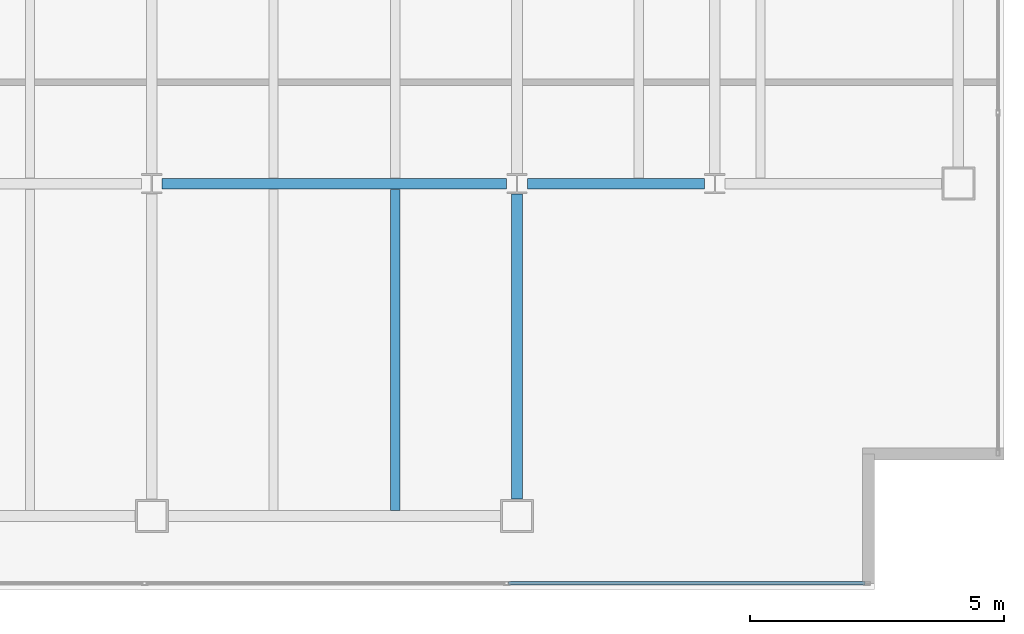
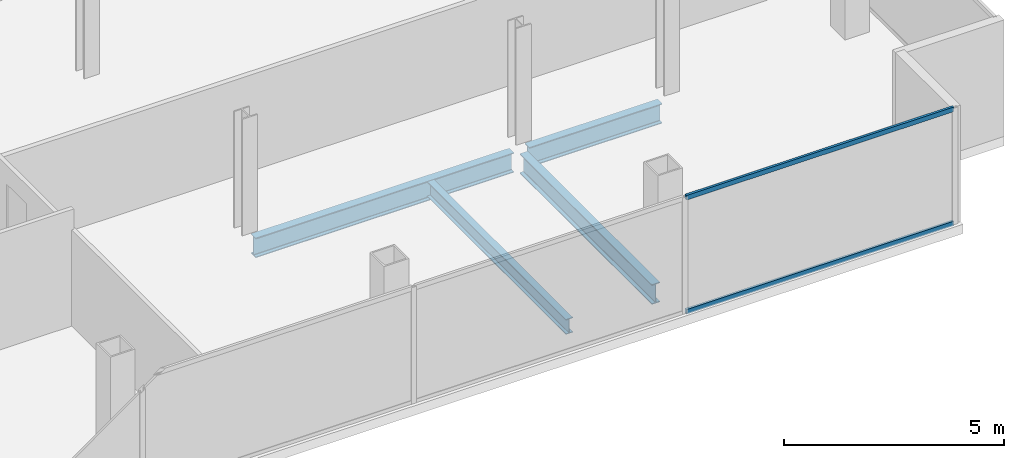
# One storey, part 13 of 23: 4 beams, 2 members, 1 element without a shape of its own.
"""IFC4 building model written with IfcOpenShell, lengths in metres."""

from ifc_helpers import new_model, si_unit, direction, frame, origin, origin_2d, place, context, subcontext, project, spatial, hollow_rectangle, i_section, extrude, material, material_profile, profile_set, type_object, element, aggregate, save


model = new_model("IFC4")

# Units and contexts
model_context = context("Model", 3, precision=1e-05, world=origin(), true_north=direction((0.0, 1.0)))
body_context = subcontext(model_context, "Body", "Model", "MODEL_VIEW")
ifc_project = project(units=[si_unit("LENGTHUNIT", "METRE"), si_unit("AREAUNIT", "SQUARE_METRE"), si_unit("VOLUMEUNIT", "CUBIC_METRE"), si_unit("PLANEANGLEUNIT", "RADIAN"), si_unit("MASSUNIT", "GRAM", prefix="KILO")], contexts=[model_context])

# Site, building, storey
site_placement = place(None, origin())
site = spatial("IfcSite", under=ifc_project, at=site_placement, CompositionType="ELEMENT")
building_placement = place(site_placement, origin())
building = spatial("IfcBuilding", under=site, at=building_placement, Name="Cobrela Telecom Tower", CompositionType="ELEMENT")
storey_placement = place(building_placement, frame((0.0, 0.0, 258.64990234375)))
storey = spatial("IfcBuildingStorey", under=building, at=storey_placement, Name="L67", CompositionType="ELEMENT", Elevation=258.64990234375)

# Beams
ifc_material_1 = material(Name="Steel ASTM A992 Grade 50", Category="steel")
ifc_material_profile_1 = material_profile(ifc_material_1, i_section(OverallWidth=0.212890625, OverallDepth=0.549072265625, WebThickness=0.0146484375, FlangeThickness=0.023681640625, FilletRadius=0.013916015625, at=origin_2d()), Name="W21X93")
ifc_profile_set_1 = profile_set([ifc_material_profile_1], Name="Steel ASTM A992 Grade 50")
beam_type_1 = type_object("IfcBeamType", Name="BM-GIRD-08", PredefinedType="USERDEFINED", material=ifc_profile_set_1)
beam_1_placement = place(storey_placement, frame((29.00439453125, 14.39990234375, -0.534423828125), z_axis=(1.0, 0.0, 0.0), x_axis=(0.0, 1.0, 0.0)))
element("IfcBeam", 1, at=beam_1_placement, inside=storey, type_object=beam_type_1, Name="L67 Primary Girder X07", ObjectType="GIRDER", PredefinedType="USERDEFINED", context=body_context, shape_type="SweptSolid", body=[
    extrude(i_section(OverallWidth=0.212890625, OverallDepth=0.549072265625, WebThickness=0.0146484375, FlangeThickness=0.023681640625, FilletRadius=0.013916015625, at=origin_2d()), origin(), (0.0, 0.0, 1.0), 6.791015625),
])
beam_2_placement = place(storey_placement, frame((36.20458984375, 14.39990234375, -0.534423828125), z_axis=(1.0, 0.0, 0.0), x_axis=(0.0, 1.0, 0.0)))
element("IfcBeam", 2, at=beam_2_placement, inside=storey, type_object=beam_type_1, Name="L67 Primary Girder X08", ObjectType="GIRDER", PredefinedType="USERDEFINED", context=body_context, shape_type="SweptSolid", body=[
    extrude(i_section(OverallWidth=0.212890625, OverallDepth=0.549072265625, WebThickness=0.0146484375, FlangeThickness=0.023681640625, FilletRadius=0.013916015625, at=origin_2d()), origin(), (0.0, 0.0, 1.0), 3.490966796875),
])
beam_3_placement = place(storey_placement, frame((36.0, 8.179931640625, -0.534423828125), z_axis=(0.0, 1.0, 0.0), x_axis=(-1.0, 0.0, 0.0)))
element("IfcBeam", 3, at=beam_3_placement, inside=storey, type_object=beam_type_1, Name="L67 Primary Girder Y31", ObjectType="GIRDER", PredefinedType="USERDEFINED", context=body_context, shape_type="SweptSolid", body=[
    extrude(i_section(OverallWidth=0.212890625, OverallDepth=0.549072265625, WebThickness=0.0146484375, FlangeThickness=0.023681640625, FilletRadius=0.013916015625, at=origin_2d()), origin(), (0.0, 0.0, 1.0), 6.015625),
])
ifc_material_profile_2 = material_profile(ifc_material_1, i_section(OverallWidth=0.179931640625, OverallDepth=0.4169921875, WebThickness=0.010986328125, FlangeThickness=0.01806640625, FilletRadius=0.011962890625, at=origin_2d()), Name="W16X57")
ifc_profile_set_2 = profile_set([ifc_material_profile_2], Name="Steel ASTM A992 Grade 50")
beam_type_2 = type_object("IfcBeamType", Name="BM-JOIST-04", PredefinedType="JOIST", material=ifc_profile_set_2)
beam_4_placement = place(storey_placement, frame((33.60009765625, 7.96142578125, -0.468505859375), z_axis=(0.0, 1.0, 0.0), x_axis=(-1.0, 0.0, 0.0)))
element("IfcBeam", 4, at=beam_4_placement, inside=storey, type_object=beam_type_2, Name="L67 Secondary Composite Floor Beam J13", PredefinedType="JOIST", context=body_context, shape_type="SweptSolid", body=[
    extrude(i_section(OverallWidth=0.179931640625, OverallDepth=0.4169921875, WebThickness=0.010986328125, FlangeThickness=0.01806640625, FilletRadius=0.011962890625, at=origin_2d()), origin(), (0.0, 0.0, 1.0), 6.3271484375),
])

# Curtain wall, members
ifc_material_2 = material(Name="Anodized Bronze Aluminium 6063-T6", Category="aluminium")
curtain_wall_type = type_object("IfcCurtainWallType", Name="CW-SYS-OFF-HI", PredefinedType="USERDEFINED", material=ifc_material_2)
curtain_wall_placement = place(storey_placement, origin())
curtain_wall = element("IfcCurtainWall", 5, at=curtain_wall_placement, inside=storey, type_object=curtain_wall_type, Name="L67 Unitised Bronze Curtain Wall 15", ObjectType="UNITISED CURTAIN WALL", PredefinedType="USERDEFINED")
ifc_material_profile_3 = material_profile(ifc_material_2, hollow_rectangle(XDim=0.06494140625, YDim=0.1298828125, WallThickness=0.00390625, at=origin_2d()), Name="ALU 65x130x4")
ifc_profile_set_3 = profile_set([ifc_material_profile_3], Name="Anodized Bronze Aluminium 6063-T6")
member_type = type_object("IfcMemberType", Name="CW-SYS-OFF-HI-TRN", PredefinedType="USERDEFINED", material=ifc_profile_set_3)
member_1_placement = place(storey_placement, frame((42.860107421875, 6.52001953125, 0.03271484375), z_axis=(-1.0, 0.0, 0.0), x_axis=(0.0, -1.0, 0.0)))
member_1 = element("IfcMember", 6, at=member_1_placement, type_object=member_type, Name="CW-OFF-HI transom 1.1", ObjectType="TRANSOM", PredefinedType="USERDEFINED", context=body_context, shape_type="SweptSolid", body=[
    extrude(hollow_rectangle(XDim=0.06494140625, YDim=0.1298828125, WallThickness=0.00390625, at=origin_2d()), origin(), (0.0, 0.0, 1.0), 7.030029296875),
])
member_2_placement = place(storey_placement, frame((42.860107421875, 6.52001953125, 3.20751953125), z_axis=(-1.0, 0.0, 0.0), x_axis=(0.0, -1.0, 0.0)))
member_2 = element("IfcMember", 7, at=member_2_placement, type_object=member_type, Name="CW-OFF-HI transom 1.2", ObjectType="TRANSOM", PredefinedType="USERDEFINED", context=body_context, shape_type="SweptSolid", body=[
    extrude(hollow_rectangle(XDim=0.06494140625, YDim=0.1298828125, WallThickness=0.00390625, at=origin_2d()), origin(), (0.0, 0.0, 1.0), 7.030029296875),
])
aggregate(curtain_wall, [member_1, member_2])

save(model, "model.ifc")
